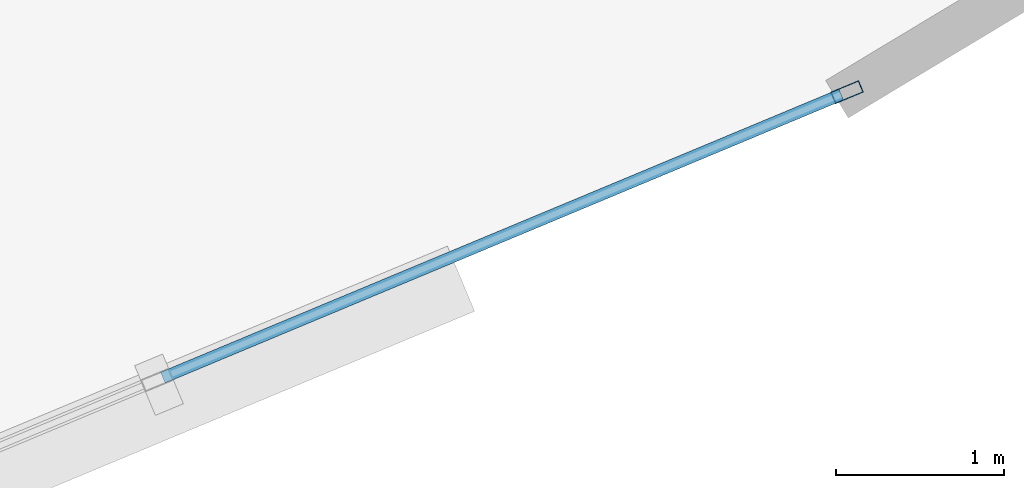
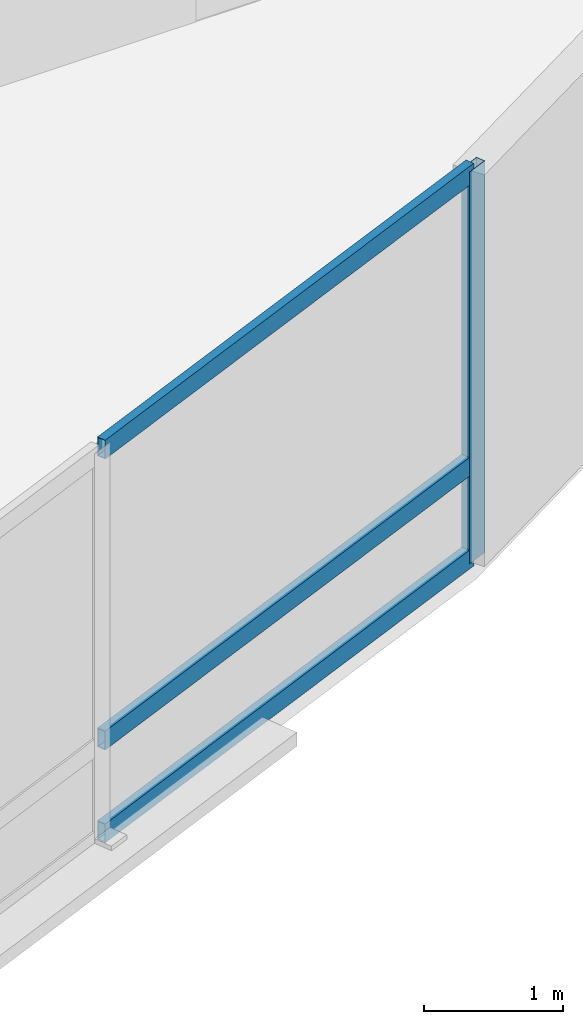
# One storey, part 10 of 18: 4 members, 1 element without a shape of its own.
"""IFC4 building model written with IfcOpenShell, lengths in metres."""

from ifc_helpers import new_model, si_unit, direction, frame, origin, origin_2d, place, context, subcontext, project, spatial, hollow_rectangle, extrude, material, layer, layer_set, material_profile, profile_set, type_object, element, aggregate, save


model = new_model("IFC4")

# Units and contexts
model_context = context("Model", 3, precision=1e-05, world=origin(), true_north=direction((0.0, 1.0)))
body_context = subcontext(model_context, "Body", "Model", "MODEL_VIEW")
ifc_project = project(units=[si_unit("LENGTHUNIT", "METRE"), si_unit("AREAUNIT", "SQUARE_METRE"), si_unit("VOLUMEUNIT", "CUBIC_METRE"), si_unit("PLANEANGLEUNIT", "RADIAN"), si_unit("MASSUNIT", "GRAM", prefix="KILO")], contexts=[model_context])

# Site, building, storey
site_placement = place(None, origin())
site = spatial("IfcSite", under=ifc_project, at=site_placement, CompositionType="ELEMENT")
building_placement = place(site_placement, origin())
building = spatial("IfcBuilding", under=site, at=building_placement, Name="Menara Vayukalpa", CompositionType="ELEMENT")
storey_placement = place(building_placement, frame((0.0, 0.0, 169.199951171875)))
storey = spatial("IfcBuildingStorey", under=building, at=storey_placement, Name="L42", CompositionType="ELEMENT", Elevation=169.199951171875)

# Curtain wall, members
ifc_material_1 = material(Name="Anodised Terracotta Aluminium Alloy 6063-T6", Category="masonry")
ifc_layer = layer(ifc_material_1, 0.179931640625)
ifc_layer_set = layer_set([ifc_layer], Name="Anodised Terracotta Aluminium Alloy 6063-T6")
curtain_wall_type = type_object("IfcCurtainWallType", Name="CW-CW4", PredefinedType="USERDEFINED", material=ifc_layer_set)
curtain_wall_placement = place(storey_placement, origin())
curtain_wall = element("IfcCurtainWall", 1, at=curtain_wall_placement, inside=storey, type_object=curtain_wall_type, Name="L42 Sky Bar Cantilever Glazed Curtain Wall CW4 17", ObjectType="UNITISED", PredefinedType="USERDEFINED")
ifc_material_2 = material(Name="Anodised Terracotta Aluminium Alloy 6063-T6", Category="masonry")
ifc_material_profile_1 = material_profile(ifc_material_2, hollow_rectangle(XDim=0.074951171875, YDim=0.179931640625, WallThickness=0.00390625, at=origin_2d()), Name="ALU 75x180x4")
ifc_profile_set_1 = profile_set([ifc_material_profile_1], Name="Anodised Terracotta Aluminium Alloy 6063-T6")
member_type_1 = type_object("IfcMemberType", Name="CWM-CW4", PredefinedType="MULLION", material=ifc_profile_set_1)
member_1_placement = place(storey_placement, frame((46.20068359375, 14.960205078125, 0.0), z_axis=(0.0, 0.0, 1.0), x_axis=(-0.385091352437, 0.922878459104, 0.0)))
member_1 = element("IfcMember", 2, at=member_1_placement, type_object=member_type_1, Name="CW4 mullion 3", PredefinedType="MULLION", context=body_context, shape_type="SweptSolid", body=[
    extrude(hollow_rectangle(XDim=0.074951171875, YDim=0.179931640625, WallThickness=0.00390625, at=origin_2d()), origin(), (0.0, 0.0, 1.0), 3.43994140625),
])
ifc_material_3 = material(Name="Anodised Terracotta Aluminium Alloy 6063-T6", Category="masonry")
ifc_material_profile_2 = material_profile(ifc_material_3, hollow_rectangle(XDim=0.070068359375, YDim=0.1650390625, WallThickness=0.00390625, at=origin_2d()), Name="ALU 70x165x4")
ifc_profile_set_2 = profile_set([ifc_material_profile_2], Name="Anodised Terracotta Aluminium Alloy 6063-T6")
member_type_2 = type_object("IfcMemberType", Name="CWT-CW4", PredefinedType="USERDEFINED", material=ifc_profile_set_2)
member_2_placement = place(storey_placement, frame((42.133056640625, 13.262939453125, 0.03515625), z_axis=(0.9228767989, 0.385095331123, 0.0), x_axis=(-0.385095331123, 0.9228767989, 0.0)))
member_2 = element("IfcMember", 3, at=member_2_placement, type_object=member_type_2, Name="CW4 transom 2.1", ObjectType="TRANSOM", PredefinedType="USERDEFINED", context=body_context, shape_type="SweptSolid", body=[
    extrude(hollow_rectangle(XDim=0.070068359375, YDim=0.1650390625, WallThickness=0.00390625, at=origin_2d()), origin(), (0.0, 0.0, 1.0), 4.369873046875),
])
member_3_placement = place(storey_placement, frame((42.133056640625, 13.262939453125, 0.85009765625), z_axis=(0.9228767989, 0.385095331123, 0.0), x_axis=(-0.385095331123, 0.9228767989, 0.0)))
member_3 = element("IfcMember", 4, at=member_3_placement, type_object=member_type_2, Name="CW4 transom 2.2", ObjectType="TRANSOM", PredefinedType="USERDEFINED", context=body_context, shape_type="SweptSolid", body=[
    extrude(hollow_rectangle(XDim=0.070068359375, YDim=0.1650390625, WallThickness=0.00390625, at=origin_2d()), origin(), (0.0, 0.0, 1.0), 4.369873046875),
])
member_4_placement = place(storey_placement, frame((42.133056640625, 13.262939453125, 3.405029296875), z_axis=(0.9228767989, 0.385095331123, 0.0), x_axis=(-0.385095331123, 0.9228767989, 0.0)))
member_4 = element("IfcMember", 5, at=member_4_placement, type_object=member_type_2, Name="CW4 transom 2.3", ObjectType="TRANSOM", PredefinedType="USERDEFINED", context=body_context, shape_type="SweptSolid", body=[
    extrude(hollow_rectangle(XDim=0.070068359375, YDim=0.1650390625, WallThickness=0.00390625, at=origin_2d()), origin(), (0.0, 0.0, 1.0), 4.369873046875),
])
aggregate(curtain_wall, [member_1, member_2, member_3, member_4])

save(model, "model.ifc")
